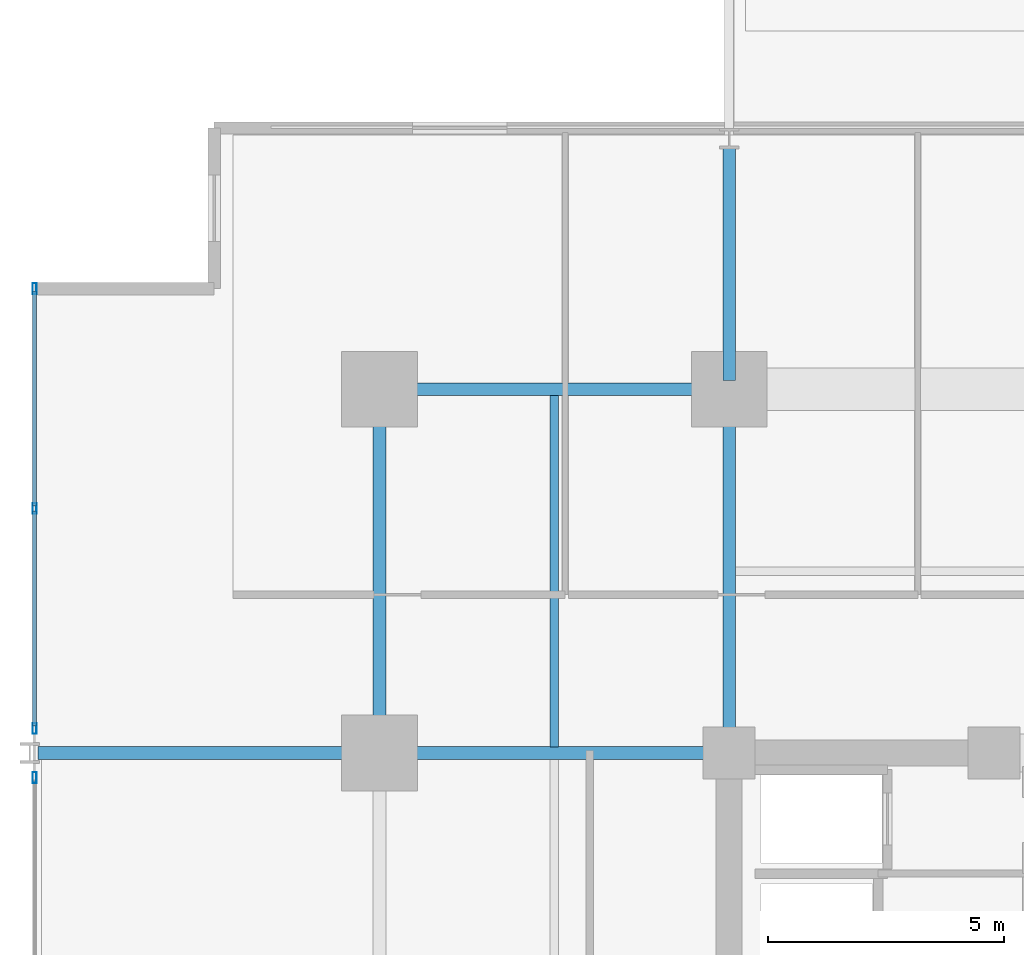
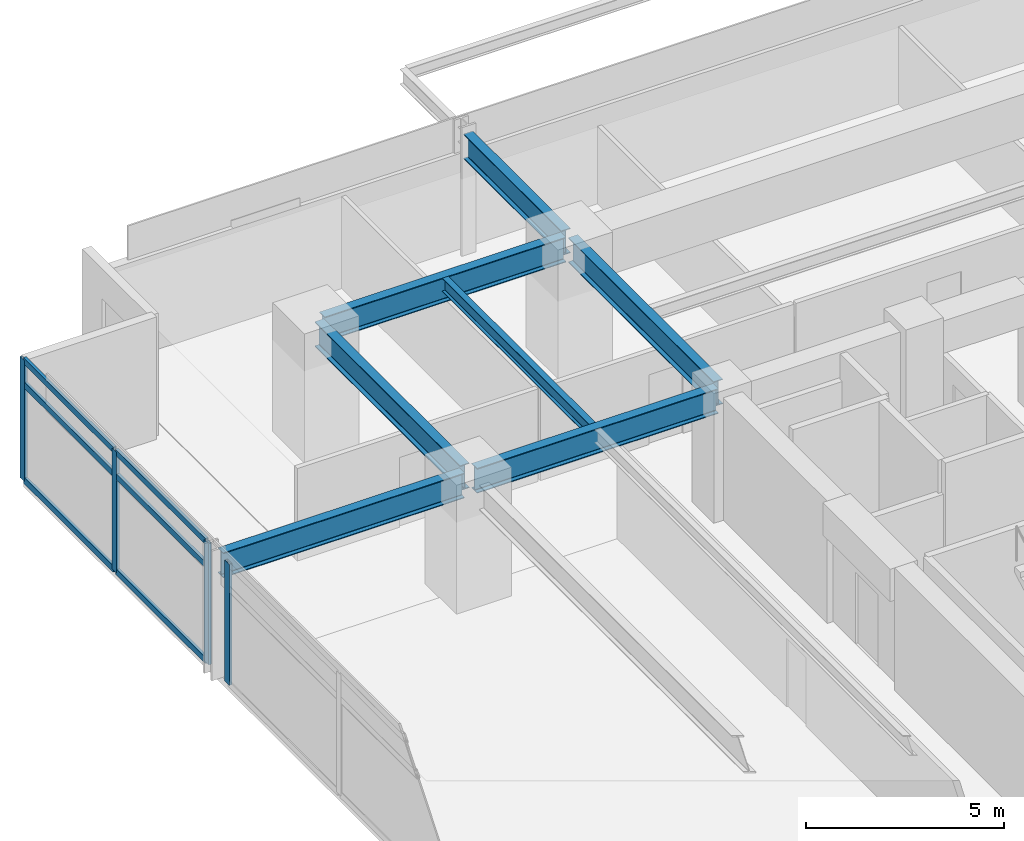
# One storey, part 10 of 21: 10 members, 7 beams, 2 elements without a shape of their own.
"""IFC4 building model written with IfcOpenShell, lengths in metres."""

import ifcopenshell
import ifcopenshell.guid

model = None  # the IFC model being written
_history = None  # IfcOwnerHistory: only IFC2X3 demands one
_inside = {}  # id of a spatial element -> (the spatial element, [elements in it])
_under = {}  # id of a project, library or spatial element -> (it, [spatial elements below it])
_declared = {}  # id of a project -> (the project, [libraries it declares])
_typed = {}  # id of a type object -> (the type object, [elements of that type])
_made_of = {}  # id of a material, layer set ... -> (it, [elements and type objects made of it])


def new_model(schema):
    """Start an empty IFC model of exactly this schema.

    Asked for "IFC4X3", IfcOpenShell would pick the latest addendum, in which some entities
    have other attributes; the version numbers below select the first issue.
    IFC2X3 requires an IfcOwnerHistory on every rooted entity: one is made here for all.
    """
    global model, _history
    if schema == "IFC4X3":
        model = ifcopenshell.file(schema_version=(4, 3, 0, 0))
    else:
        model = ifcopenshell.file(schema=schema)
    _inside.clear()
    _under.clear()
    _declared.clear()
    _typed.clear()
    _made_of.clear()
    _history = None
    if model.schema == "IFC2X3":
        org = make("IfcOrganization", Name="unknown")
        user = make(
            "IfcPersonAndOrganization",
            ThePerson=make("IfcPerson", FamilyName="unknown"),
            TheOrganization=org,
        )
        app = make(
            "IfcApplication",
            ApplicationDeveloper=org,
            Version="unknown",
            ApplicationFullName="unknown",
            ApplicationIdentifier="unknown",
        )
        _history = make(
            "IfcOwnerHistory",
            OwningUser=user,
            OwningApplication=app,
            ChangeAction="ADDED",
            CreationDate=0,
        )
    return model


def make(cls, **values):
    """One entity of the class cls with the attributes given. An attribute that is None is left unset."""
    return model.create_entity(
        cls, **{name: value for name, value in values.items() if value is not None}
    )


def rooted(cls, **values):
    """An entity with a GlobalId (a new one), such as an element, a storey or a relation."""
    return make(cls, GlobalId=ifcopenshell.guid.new(), OwnerHistory=_history, **values)


def si_unit(unit_type, name, prefix=None):
    """IfcSIUnit, for example si_unit("LENGTHUNIT", "METRE", prefix="MILLI")."""
    return make("IfcSIUnit", UnitType=unit_type, Prefix=prefix, Name=name)


def assignment(units):
    """IfcUnitAssignment: the units of a project."""
    return None if units is None else make("IfcUnitAssignment", Units=units)


def point(xyz):
    """IfcCartesianPoint."""
    return None if xyz is None else make("IfcCartesianPoint", Coordinates=xyz)


def direction(xyz):
    """IfcDirection."""
    return None if xyz is None else make("IfcDirection", DirectionRatios=xyz)


def frame(location, z_axis=None, x_axis=None):
    """IfcAxis2Placement3D, a coordinate frame: its origin and axes. An axis left out is left unset."""
    return make(
        "IfcAxis2Placement3D",
        Location=point(location),
        Axis=direction(z_axis),
        RefDirection=direction(x_axis),
    )


def frame_2d(location, x_axis=None):
    """IfcAxis2Placement2D, a coordinate frame in the plane: its origin and x axis."""
    return make(
        "IfcAxis2Placement2D", Location=point(location), RefDirection=direction(x_axis)
    )


def origin():
    """The frame at (0, 0, 0) with its axes left unset."""
    return frame((0.0, 0.0, 0.0))


def origin_2d():
    """The frame at (0, 0) in the plane with its x axis left unset."""
    return frame_2d((0.0, 0.0))


def place(relative_to, where):
    """IfcLocalPlacement: puts the frame where relative to a parent placement (None: the world)."""
    return make(
        "IfcLocalPlacement", PlacementRelTo=relative_to, RelativePlacement=where
    )


def context(
    kind, dimensions, precision=None, world=None, true_north=None, identifier=None
):
    """IfcGeometricRepresentationContext, for example the 3D "Model" context."""
    return make(
        "IfcGeometricRepresentationContext",
        ContextIdentifier=identifier,
        ContextType=kind,
        CoordinateSpaceDimension=dimensions,
        Precision=precision,
        WorldCoordinateSystem=world,
        TrueNorth=true_north,
    )


def subcontext(parent, identifier, kind, view, scale=None):
    """IfcGeometricRepresentationSubContext, for example "Body" below "Model"."""
    return make(
        "IfcGeometricRepresentationSubContext",
        ContextIdentifier=identifier,
        ContextType=kind,
        ParentContext=parent,
        TargetScale=scale,
        TargetView=view,
    )


def project(units=None, contexts=None):
    """IfcProject with its units and contexts."""
    return rooted(
        "IfcProject",
        Name="project",
        RepresentationContexts=contexts,
        UnitsInContext=assignment(units),
    )


def spatial(cls, under=None, at=None, **own):
    """A site, building, storey or space (cls), placed at a placement, below another one or the project."""
    s = rooted(cls, ObjectPlacement=at, **own)
    if under is not None:
        _under.setdefault(under.id(), (under, []))[1].append(s)
    return s


def profile(cls, at=None, kind="AREA", **sizes):
    """A parametric profile (cls). Its sizes go by their IFC names, for example OverallWidth=200.0."""
    return make(cls, ProfileType=kind, Position=at, **sizes)


def hollow_rectangle(**sizes):
    """IfcRectangleHollowProfileDef."""
    return profile("IfcRectangleHollowProfileDef", **sizes)


def i_section(**sizes):
    """IfcIShapeProfileDef."""
    return profile("IfcIShapeProfileDef", **sizes)


def extrude(swept, where, along, depth):
    """IfcExtrudedAreaSolid: the profile swept, set in the frame where, extruded along a direction by depth."""
    return make(
        "IfcExtrudedAreaSolid",
        SweptArea=swept,
        Position=where,
        ExtrudedDirection=direction(along),
        Depth=depth,
    )


def shape(context_of_items, identifier, shape_type, items):
    """IfcShapeRepresentation: the items that make up one representation, for example the "Body"."""
    return make(
        "IfcShapeRepresentation",
        ContextOfItems=context_of_items,
        RepresentationIdentifier=identifier,
        RepresentationType=shape_type,
        Items=items,
    )


def material(Name=None, Category=None):
    """IfcMaterial."""
    return make("IfcMaterial", Name=Name, Category=Category)


def material_profile(
    of_material, cross_section, Name=None, Category=None, Priority=None
):
    """IfcMaterialProfile: a cross section and its material."""
    return make(
        "IfcMaterialProfile",
        Name=Name,
        Material=of_material,
        Profile=cross_section,
        Priority=Priority,
        Category=Category,
    )


def profile_set(profiles, Name=None, composite=None):
    """IfcMaterialProfileSet."""
    return make(
        "IfcMaterialProfileSet",
        Name=Name,
        MaterialProfiles=profiles,
        CompositeProfile=composite,
    )


def made_of(thing, what):
    """Note that an element or type object is made of a material, layer set ...; save() writes the relation."""
    if what is not None:
        _made_of.setdefault(what.id(), (what, []))[1].append(thing)
    return thing


def type_object(cls, material=None, **own):
    """A type object (cls), such as IfcWallType, which elements share."""
    return made_of(rooted(cls, **own), material)


def element(
    cls,
    number,
    at=None,
    inside=None,
    cuts=None,
    type_object=None,
    material=None,
    context=None,
    identifier="Body",
    shape_type=None,
    held_by="IfcProductDefinitionShape",
    body=None,
    shapes=None,
    **own,
):
    """One element of the class cls, such as IfcWall. Its Tag is "e" and its number.

    at: its placement. inside: the storey or other place that contains it. cuts: it is an
    opening in that element (IfcRelVoidsElement). A single representation is given by context,
    identifier, shape_type and body (its items); several are given by shapes. held_by: the class
    of the entity that holds the representations. save() writes the other relations.
    """
    e = rooted(cls, Tag="e%d" % number, ObjectPlacement=at, **own)
    if body is not None:
        shapes = [shape(context, identifier, shape_type, body)]
    if shapes is not None:
        e.Representation = make(held_by, Representations=shapes)
    if inside is not None:
        _inside.setdefault(inside.id(), (inside, []))[1].append(e)
    if cuts is not None:
        rooted(
            "IfcRelVoidsElement", RelatingBuildingElement=cuts, RelatedOpeningElement=e
        )
    if type_object is not None:
        _typed.setdefault(type_object.id(), (type_object, []))[1].append(e)
    return made_of(e, material)


def aggregate(whole, parts):
    """IfcRelAggregates: a whole, such as a stair, and the parts it consists of."""
    return rooted("IfcRelAggregates", RelatingObject=whole, RelatedObjects=parts)


def save(model, path):
    """Write the relations noted so far, then the file.

    IfcRelAggregates (storeys below a building ...), IfcRelContainedInSpatialStructure (elements
    in a storey), IfcRelDefinesByType, IfcRelAssociatesMaterial and IfcRelDeclares: one each for
    every whole, place, type object, material and project.
    """
    for whole, parts in _under.values():
        aggregate(whole, parts)
    for where, things in _inside.values():
        rooted(
            "IfcRelContainedInSpatialStructure",
            RelatedElements=things,
            RelatingStructure=where,
        )
    for kind, things in _typed.values():
        rooted("IfcRelDefinesByType", RelatedObjects=things, RelatingType=kind)
    for what, things in _made_of.values():
        rooted("IfcRelAssociatesMaterial", RelatedObjects=things, RelatingMaterial=what)
    for by, libraries in _declared.values():
        rooted("IfcRelDeclares", RelatingContext=by, RelatedDefinitions=libraries)
    model.write(path)


model = new_model("IFC4")

# Units and contexts
model_context = context("Model", 3, precision=1e-05, world=origin(), true_north=direction((0.0, 1.0)))
body_context = subcontext(model_context, "Body", "Model", "MODEL_VIEW")
ifc_project = project(units=[si_unit("LENGTHUNIT", "METRE"), si_unit("AREAUNIT", "SQUARE_METRE"), si_unit("VOLUMEUNIT", "CUBIC_METRE"), si_unit("PLANEANGLEUNIT", "RADIAN"), si_unit("MASSUNIT", "GRAM", prefix="KILO")], contexts=[model_context])

# Site, building, storey
site_placement = place(None, origin())
site = spatial("IfcSite", under=ifc_project, at=site_placement, CompositionType="ELEMENT")
building_placement = place(site_placement, origin())
building = spatial("IfcBuilding", under=site, at=building_placement, Name="Kovane Verandah Tower", CompositionType="ELEMENT")
storey_placement = place(building_placement, frame((0.0, 0.0, 152.39990234375)))
storey = spatial("IfcBuildingStorey", under=building, at=storey_placement, Name="L35", CompositionType="ELEMENT", Elevation=152.39990234375)

# Beams
ifc_material_1 = material(Name="Steel S355", Category="steel")
ifc_material_profile_1 = material_profile(ifc_material_1, i_section(OverallWidth=0.26806640625, OverallDepth=0.769775390625, WebThickness=0.015625, FlangeThickness=0.025390625, FilletRadius=0.0166015625, at=origin_2d()), Name="UB762x267x197")
ifc_profile_set_1 = profile_set([ifc_material_profile_1], Name="Steel S355")
beam_type_1 = type_object("IfcBeamType", Name="BM-UB762x197", PredefinedType="BEAM", material=ifc_profile_set_1)
beam_1_placement = place(storey_placement, frame((21.780029296875, 44.199951171875, 3.39013671875), z_axis=(1.0, 0.0, 0.0), x_axis=(0.0, 1.0, 0.0)))
element("IfcBeam", 1, at=beam_1_placement, inside=storey, type_object=beam_type_1, Name="L35 Primary Tower Girder G-RN1", PredefinedType="BEAM", context=body_context, shape_type="SweptSolid", body=[
    extrude(i_section(OverallWidth=0.26806640625, OverallDepth=0.769775390625, WebThickness=0.015625, FlangeThickness=0.025390625, FilletRadius=0.0166015625, at=origin_2d()), origin(), (0.0, 0.0, 1.0), 7.0400390625),
])
beam_2_placement = place(storey_placement, frame((21.60009765625, 36.679931640625, 3.39013671875), z_axis=(0.0, 1.0, 0.0), x_axis=(-1.0, 0.0, 0.0)))
element("IfcBeam", 2, at=beam_2_placement, inside=storey, type_object=beam_type_1, Name="L35 Primary Tower Girder G-RW3", PredefinedType="BEAM", context=body_context, shape_type="SweptSolid", body=[
    extrude(i_section(OverallWidth=0.26806640625, OverallDepth=0.769775390625, WebThickness=0.015625, FlangeThickness=0.025390625, FilletRadius=0.0166015625, at=origin_2d()), origin(), (0.0, 0.0, 1.0), 7.340087890625),
])
beam_3_placement = place(storey_placement, frame((28.820068359375, 36.5, 3.39013671875), z_axis=(-1.0, 0.0, 0.0), x_axis=(0.0, -1.0, 0.0)))
element("IfcBeam", 3, at=beam_3_placement, inside=storey, type_object=beam_type_1, Name="L35 Primary Tower Girder G-W2", PredefinedType="BEAM", context=body_context, shape_type="SweptSolid", body=[
    extrude(i_section(OverallWidth=0.26806640625, OverallDepth=0.769775390625, WebThickness=0.015625, FlangeThickness=0.025390625, FilletRadius=0.0166015625, at=origin_2d()), origin(), (0.0, 0.0, 1.0), 7.0400390625),
])
beam_4_placement = place(storey_placement, frame((29.0, 36.679931640625, 3.39013671875), z_axis=(0.0, 1.0, 0.0), x_axis=(-1.0, 0.0, 0.0)))
element("IfcBeam", 4, at=beam_4_placement, inside=storey, type_object=beam_type_1, Name="L35 Primary Tower Girder G-N1", PredefinedType="BEAM", context=body_context, shape_type="SweptSolid", body=[
    extrude(i_section(OverallWidth=0.26806640625, OverallDepth=0.769775390625, WebThickness=0.015625, FlangeThickness=0.025390625, FilletRadius=0.0166015625, at=origin_2d()), origin(), (0.0, 0.0, 1.0), 7.340087890625),
])
beam_5_placement = place(storey_placement, frame((21.419921875, 36.5, 3.375244140625), z_axis=(-1.0, 0.0, 0.0), x_axis=(0.0, -1.0, 0.0)))
element("IfcBeam", 5, at=beam_5_placement, inside=storey, type_object=beam_type_1, Name="L35 Primary Tower Girder G-VW2", PredefinedType="BEAM", context=body_context, shape_type="SweptSolid", body=[
    extrude(i_section(OverallWidth=0.26806640625, OverallDepth=0.769775390625, WebThickness=0.015625, FlangeThickness=0.025390625, FilletRadius=0.0166015625, at=origin_2d()), origin(), (0.0, 0.0, 1.0), 7.0400390625),
])
beam_6_placement = place(storey_placement, frame((29.0, 44.3798828125, 3.375244140625), z_axis=(0.0, 1.0, 0.0), x_axis=(-1.0, 0.0, 0.0)))
element("IfcBeam", 6, at=beam_6_placement, inside=storey, type_object=beam_type_1, Name="L35 Primary Tower Girder G-VN1", PredefinedType="BEAM", context=body_context, shape_type="SweptSolid", body=[
    extrude(i_section(OverallWidth=0.26806640625, OverallDepth=0.769775390625, WebThickness=0.015625, FlangeThickness=0.025390625, FilletRadius=0.0166015625, at=origin_2d()), origin(), (0.0, 0.0, 1.0), 4.940185546875),
])

# Curtain wall, members
ifc_material_2 = material(Name="Champagne Anodised Aluminium Frame with Low-E Clear Laminated Glass", Category="aluminium")
curtain_wall_type = type_object("IfcCurtainWallType", Name="CW-SYS-03-MID", PredefinedType="NOTDEFINED", material=ifc_material_2)
curtain_wall_1_placement = place(storey_placement, origin())
curtain_wall_1 = element("IfcCurtainWall", 7, at=curtain_wall_1_placement, inside=storey, type_object=curtain_wall_type, Name="L35 W Unitised Curtain Wall-1", PredefinedType="NOTDEFINED")
ifc_material_3 = material(Name="Champagne Anodised Aluminium 6063-T6", Category="aluminium")
ifc_material_profile_2 = material_profile(ifc_material_3, hollow_rectangle(XDim=0.0849609375, YDim=0.22998046875, WallThickness=0.00390625, at=origin_2d()), Name="AL85x230x4")
ifc_profile_set_2 = profile_set([ifc_material_profile_2], Name="Champagne Anodised Aluminium 6063-T6")
member_type_1 = type_object("IfcMemberType", Name="CW-MUL-85x230", PredefinedType="MULLION", material=ifc_profile_set_2)
member_1_placement = place(storey_placement, frame((14.303955078125, 46.3271484375, 0.02001953125), z_axis=(0.0, 0.0, 1.0), x_axis=(-1.0, 0.0, 0.0)))
member_1 = element("IfcMember", 8, at=member_1_placement, type_object=member_type_1, Name="L35 W Unitised Curtain Wall-1 Mullion 1", PredefinedType="MULLION", context=body_context, shape_type="SweptSolid", body=[
    extrude(hollow_rectangle(XDim=0.0849609375, YDim=0.22998046875, WallThickness=0.00390625, at=origin_2d()), origin(), (0.0, 0.0, 1.0), 3.735107421875),
])
member_2_placement = place(storey_placement, frame((14.303955078125, 41.673583984375, 0.02001953125), z_axis=(0.0, 0.0, 1.0), x_axis=(-1.0, 0.0, 0.0)))
member_2 = element("IfcMember", 9, at=member_2_placement, type_object=member_type_1, Name="L35 W Unitised Curtain Wall-1 Mullion 2", PredefinedType="MULLION", context=body_context, shape_type="SweptSolid", body=[
    extrude(hollow_rectangle(XDim=0.0849609375, YDim=0.22998046875, WallThickness=0.00390625, at=origin_2d()), origin(), (0.0, 0.0, 1.0), 3.735107421875),
])
member_3_placement = place(storey_placement, frame((14.303955078125, 37.02001953125, 0.02001953125), z_axis=(0.0, 0.0, 1.0), x_axis=(-1.0, 0.0, 0.0)))
member_3 = element("IfcMember", 10, at=member_3_placement, type_object=member_type_1, Name="L35 W Unitised Curtain Wall-1 Mullion 3", PredefinedType="MULLION", context=body_context, shape_type="SweptSolid", body=[
    extrude(hollow_rectangle(XDim=0.0849609375, YDim=0.22998046875, WallThickness=0.00390625, at=origin_2d()), origin(), (0.0, 0.0, 1.0), 3.735107421875),
])

# Curtain wall, member
curtain_wall_2_placement = place(storey_placement, origin())
curtain_wall_2 = element("IfcCurtainWall", 11, at=curtain_wall_2_placement, inside=storey, type_object=curtain_wall_type, Name="L35 W Unitised Curtain Wall-2", PredefinedType="NOTDEFINED")
member_4_placement = place(storey_placement, frame((14.303955078125, 35.97998046875, 0.02001953125), z_axis=(0.0, 0.0, 1.0), x_axis=(-1.0, 0.0, 0.0)))
member_4 = element("IfcMember", 12, at=member_4_placement, type_object=member_type_1, Name="L35 W Unitised Curtain Wall-2 Mullion 1", PredefinedType="MULLION", context=body_context, shape_type="SweptSolid", body=[
    extrude(hollow_rectangle(XDim=0.0849609375, YDim=0.22998046875, WallThickness=0.00390625, at=origin_2d()), origin(), (0.0, 0.0, 1.0), 3.735107421875),
])
aggregate(curtain_wall_2, [member_4])

# Member
ifc_material_profile_3 = material_profile(ifc_material_3, hollow_rectangle(XDim=0.0849609375, YDim=0.18994140625, WallThickness=0.00390625, at=origin_2d()), Name="AL85x190x4")
ifc_profile_set_3 = profile_set([ifc_material_profile_3], Name="Champagne Anodised Aluminium 6063-T6")
member_type_2 = type_object("IfcMemberType", Name="CW-TRN-85x190", PredefinedType="USERDEFINED", material=ifc_profile_set_3)
member_5_placement = place(storey_placement, frame((14.303955078125, 46.277099609375, 0.050048828125), z_axis=(0.0, -1.0, 0.0), x_axis=(1.0, 0.0, 0.0)))
member_5 = element("IfcMember", 13, at=member_5_placement, type_object=member_type_2, Name="L35 W Unitised Curtain Wall-1 Transom TB Bay 1", ObjectType="TRANSOM", PredefinedType="USERDEFINED", context=body_context, shape_type="SweptSolid", body=[
    extrude(hollow_rectangle(XDim=0.0849609375, YDim=0.18994140625, WallThickness=0.00390625, at=origin_2d()), origin(), (0.0, 0.0, 1.0), 4.553466796875),
])

member_6_placement = place(storey_placement, frame((14.303955078125, 46.277099609375, 2.9951171875), z_axis=(0.0, -1.0, 0.0), x_axis=(1.0, 0.0, 0.0)))
member_6 = element("IfcMember", 14, at=member_6_placement, type_object=member_type_2, Name="L35 W Unitised Curtain Wall-1 Transom TM Bay 1", ObjectType="TRANSOM", PredefinedType="USERDEFINED", context=body_context, shape_type="SweptSolid", body=[
    extrude(hollow_rectangle(XDim=0.0849609375, YDim=0.18994140625, WallThickness=0.00390625, at=origin_2d()), origin(), (0.0, 0.0, 1.0), 4.553466796875),
])

member_7_placement = place(storey_placement, frame((14.303955078125, 46.277099609375, 3.72509765625), z_axis=(0.0, -1.0, 0.0), x_axis=(1.0, 0.0, 0.0)))
member_7 = element("IfcMember", 15, at=member_7_placement, type_object=member_type_2, Name="L35 W Unitised Curtain Wall-1 Transom TT Bay 1", ObjectType="TRANSOM", PredefinedType="USERDEFINED", context=body_context, shape_type="SweptSolid", body=[
    extrude(hollow_rectangle(XDim=0.0849609375, YDim=0.18994140625, WallThickness=0.00390625, at=origin_2d()), origin(), (0.0, 0.0, 1.0), 4.553466796875),
])

member_8_placement = place(storey_placement, frame((14.303955078125, 41.62353515625, 0.050048828125), z_axis=(0.0, -1.0, 0.0), x_axis=(1.0, 0.0, 0.0)))
member_8 = element("IfcMember", 16, at=member_8_placement, type_object=member_type_2, Name="L35 W Unitised Curtain Wall-1 Transom TB Bay 2", ObjectType="TRANSOM", PredefinedType="USERDEFINED", context=body_context, shape_type="SweptSolid", body=[
    extrude(hollow_rectangle(XDim=0.0849609375, YDim=0.18994140625, WallThickness=0.00390625, at=origin_2d()), origin(), (0.0, 0.0, 1.0), 4.553466796875),
])

member_9_placement = place(storey_placement, frame((14.303955078125, 41.62353515625, 2.9951171875), z_axis=(0.0, -1.0, 0.0), x_axis=(1.0, 0.0, 0.0)))
member_9 = element("IfcMember", 17, at=member_9_placement, type_object=member_type_2, Name="L35 W Unitised Curtain Wall-1 Transom TM Bay 2", ObjectType="TRANSOM", PredefinedType="USERDEFINED", context=body_context, shape_type="SweptSolid", body=[
    extrude(hollow_rectangle(XDim=0.0849609375, YDim=0.18994140625, WallThickness=0.00390625, at=origin_2d()), origin(), (0.0, 0.0, 1.0), 4.553466796875),
])

member_10_placement = place(storey_placement, frame((14.303955078125, 41.62353515625, 3.72509765625), z_axis=(0.0, -1.0, 0.0), x_axis=(1.0, 0.0, 0.0)))
member_10 = element("IfcMember", 18, at=member_10_placement, type_object=member_type_2, Name="L35 W Unitised Curtain Wall-1 Transom TT Bay 2", ObjectType="TRANSOM", PredefinedType="USERDEFINED", context=body_context, shape_type="SweptSolid", body=[
    extrude(hollow_rectangle(XDim=0.0849609375, YDim=0.18994140625, WallThickness=0.00390625, at=origin_2d()), origin(), (0.0, 0.0, 1.0), 4.553466796875),
])

aggregate(curtain_wall_1, [member_1, member_2, member_3, member_5, member_6, member_7, member_8, member_9, member_10])

# Beam
ifc_material_profile_4 = material_profile(ifc_material_1, i_section(OverallWidth=0.179443359375, OverallDepth=0.412841796875, WebThickness=0.009521484375, FlangeThickness=0.01611328125, FilletRadius=0.01025390625, at=origin_2d()), Name="UB406x178x74")
ifc_profile_set_4 = profile_set([ifc_material_profile_4], Name="Steel S355")
beam_type_2 = type_object("IfcBeamType", Name="JST-UB406x74", PredefinedType="JOIST", material=ifc_profile_set_4)
beam_7_placement = place(storey_placement, frame((25.300048828125, 36.632080078125, 3.568603515625), z_axis=(0.0, 1.0, 0.0), x_axis=(-1.0, 0.0, 0.0)))
element("IfcBeam", 19, at=beam_7_placement, inside=storey, type_object=beam_type_2, Name="L35 Secondary Composite Joist J-NW1", PredefinedType="JOIST", context=body_context, shape_type="SweptSolid", body=[
    extrude(i_section(OverallWidth=0.179443359375, OverallDepth=0.412841796875, WebThickness=0.009521484375, FlangeThickness=0.01611328125, FilletRadius=0.01025390625, at=origin_2d()), origin(), (0.0, 0.0, 1.0), 7.43603515625),
])

save(model, "model.ifc")
